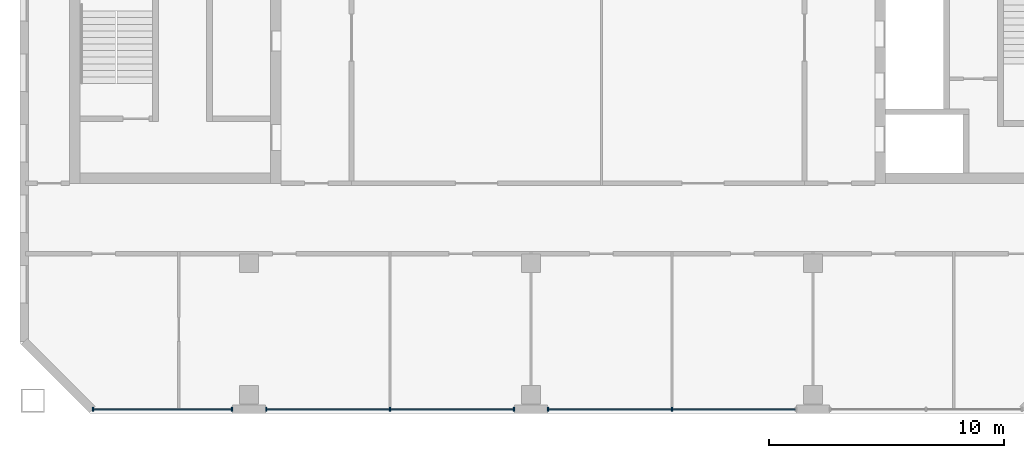
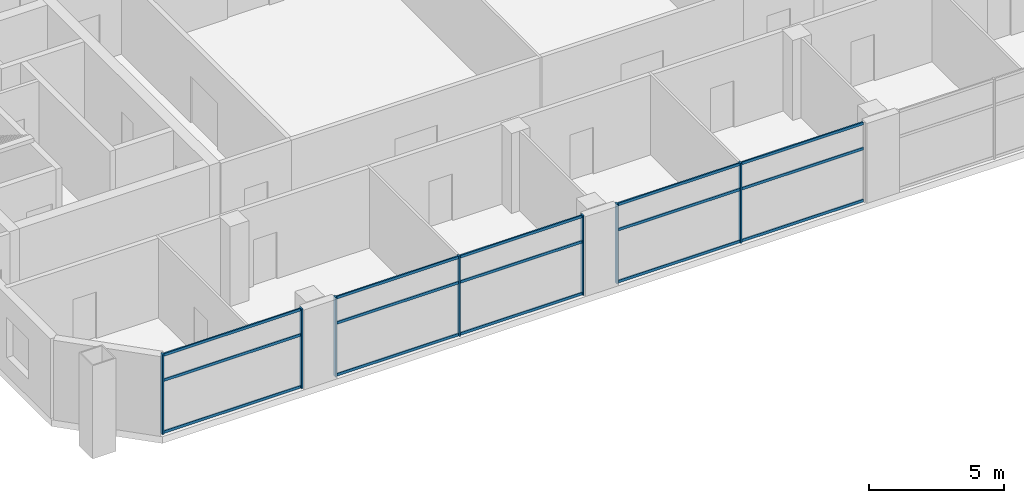
# One storey, part 2 of 19: 22 members, 3 elements without a shape of their own.
"""IFC4 building model written with IfcOpenShell, lengths in metres."""

from ifc_helpers import new_model, si_unit, direction, frame, origin, origin_2d, place, context, subcontext, project, spatial, rectangle, extrude, material, material_profile, profile_set, type_object, element, aggregate, save


model = new_model("IFC4")

# Units and contexts
model_context = context("Model", 3, precision=1e-05, world=origin(), true_north=direction((0.0, 1.0)))
body_context = subcontext(model_context, "Body", "Model", "MODEL_VIEW")
ifc_project = project(units=[si_unit("LENGTHUNIT", "METRE"), si_unit("AREAUNIT", "SQUARE_METRE"), si_unit("VOLUMEUNIT", "CUBIC_METRE"), si_unit("PLANEANGLEUNIT", "RADIAN"), si_unit("MASSUNIT", "GRAM", prefix="KILO")], contexts=[model_context])

# Site, building, storey
site_placement = place(None, origin())
site = spatial("IfcSite", under=ifc_project, at=site_placement, CompositionType="ELEMENT")
building_placement = place(site_placement, origin())
building = spatial("IfcBuilding", under=site, at=building_placement, Name="Tuart Gate Housing", CompositionType="ELEMENT")
storey_placement = place(building_placement, frame((0.0, 0.0, 171.60009765625)))
storey = spatial("IfcBuildingStorey", under=building, at=storey_placement, Name="L48", CompositionType="ELEMENT", Elevation=171.60009765625)

# Curtain wall, members
ifc_material_1 = material(Name="Aluminium and clear glass", Category="aluminium")
curtain_wall_type = type_object("IfcCurtainWallType", Name="Community floor glazing", PredefinedType="USERDEFINED", material=ifc_material_1)
curtain_wall_1_placement = place(storey_placement, origin())
curtain_wall_1 = element("IfcCurtainWall", 1, at=curtain_wall_1_placement, inside=storey, type_object=curtain_wall_type, Name="Community floor glazing A-S L48", ObjectType="COMMUNITY FLOOR GLAZING", PredefinedType="USERDEFINED")
ifc_material_2 = material(Name="Anodised aluminium", Category="aluminium")
ifc_material_profile_1 = material_profile(ifc_material_2, rectangle(XDim=0.06005859375, YDim=0.159912109375, at=origin_2d()), Name="60x160")
ifc_profile_set_1 = profile_set([ifc_material_profile_1], Name="Anodised aluminium")
member_type_1 = type_object("IfcMemberType", Name="Mullion 60 x 160", PredefinedType="MULLION", material=ifc_profile_set_1)
member_1_placement = place(storey_placement, frame((33.3544921875, 54.179931640625, 0.0), z_axis=(0.0, 0.0, 1.0), x_axis=(1.0, 0.0, 0.0)))
member_1 = element("IfcMember", 2, at=member_1_placement, type_object=member_type_1, Name="CW3 mullion 1", PredefinedType="MULLION", context=body_context, shape_type="SweptSolid", body=[
    extrude(rectangle(XDim=0.06005859375, YDim=0.159912109375, at=origin_2d()), origin(), (0.0, 0.0, 1.0), 3.599853515625),
])
member_2_placement = place(storey_placement, frame((39.27001953125, 54.179931640625, 0.0), z_axis=(0.0, 0.0, 1.0), x_axis=(1.0, 0.0, 0.0)))
member_2 = element("IfcMember", 3, at=member_2_placement, type_object=member_type_1, Name="CW3 mullion 2", PredefinedType="MULLION", context=body_context, shape_type="SweptSolid", body=[
    extrude(rectangle(XDim=0.06005859375, YDim=0.159912109375, at=origin_2d()), origin(), (0.0, 0.0, 1.0), 3.599853515625),
])

curtain_wall_2_placement = place(storey_placement, origin())
curtain_wall_2 = element("IfcCurtainWall", 4, at=curtain_wall_2_placement, inside=storey, type_object=curtain_wall_type, Name="Community floor glazing A-S L48", ObjectType="COMMUNITY FLOOR GLAZING", PredefinedType="USERDEFINED")
member_3_placement = place(storey_placement, frame((40.72998046875, 54.179931640625, 0.0), z_axis=(0.0, 0.0, 1.0), x_axis=(1.0, 0.0, 0.0)))
member_3 = element("IfcMember", 5, at=member_3_placement, type_object=member_type_1, Name="CW3 mullion 1", PredefinedType="MULLION", context=body_context, shape_type="SweptSolid", body=[
    extrude(rectangle(XDim=0.06005859375, YDim=0.159912109375, at=origin_2d()), origin(), (0.0, 0.0, 1.0), 3.599853515625),
])
member_4_placement = place(storey_placement, frame((46.0, 54.179931640625, 0.0), z_axis=(0.0, 0.0, 1.0), x_axis=(1.0, 0.0, 0.0)))
member_4 = element("IfcMember", 6, at=member_4_placement, type_object=member_type_1, Name="CW3 mullion 2", PredefinedType="MULLION", context=body_context, shape_type="SweptSolid", body=[
    extrude(rectangle(XDim=0.06005859375, YDim=0.159912109375, at=origin_2d()), origin(), (0.0, 0.0, 1.0), 3.599853515625),
])
member_5_placement = place(storey_placement, frame((51.27001953125, 54.179931640625, 0.0), z_axis=(0.0, 0.0, 1.0), x_axis=(1.0, 0.0, 0.0)))
member_5 = element("IfcMember", 7, at=member_5_placement, type_object=member_type_1, Name="CW3 mullion 3", PredefinedType="MULLION", context=body_context, shape_type="SweptSolid", body=[
    extrude(rectangle(XDim=0.06005859375, YDim=0.159912109375, at=origin_2d()), origin(), (0.0, 0.0, 1.0), 3.599853515625),
])

curtain_wall_3_placement = place(storey_placement, origin())
curtain_wall_3 = element("IfcCurtainWall", 8, at=curtain_wall_3_placement, inside=storey, type_object=curtain_wall_type, Name="Community floor glazing A-S L48", ObjectType="COMMUNITY FLOOR GLAZING", PredefinedType="USERDEFINED")
member_6_placement = place(storey_placement, frame((52.72998046875, 54.179931640625, 0.0), z_axis=(0.0, 0.0, 1.0), x_axis=(1.0, 0.0, 0.0)))
member_6 = element("IfcMember", 9, at=member_6_placement, type_object=member_type_1, Name="CW3 mullion 1", PredefinedType="MULLION", context=body_context, shape_type="SweptSolid", body=[
    extrude(rectangle(XDim=0.06005859375, YDim=0.159912109375, at=origin_2d()), origin(), (0.0, 0.0, 1.0), 3.599853515625),
])
member_7_placement = place(storey_placement, frame((58.0, 54.179931640625, 0.0), z_axis=(0.0, 0.0, 1.0), x_axis=(1.0, 0.0, 0.0)))
member_7 = element("IfcMember", 10, at=member_7_placement, type_object=member_type_1, Name="CW3 mullion 2", PredefinedType="MULLION", context=body_context, shape_type="SweptSolid", body=[
    extrude(rectangle(XDim=0.06005859375, YDim=0.159912109375, at=origin_2d()), origin(), (0.0, 0.0, 1.0), 3.599853515625),
])

# Member
ifc_material_3 = material(Name="Anodised aluminium", Category="aluminium")
ifc_material_profile_2 = material_profile(ifc_material_3, rectangle(XDim=0.06005859375, YDim=0.1201171875, at=origin_2d()), Name="60x120")
ifc_profile_set_2 = profile_set([ifc_material_profile_2], Name="Anodised aluminium")
member_type_2 = type_object("IfcMemberType", Name="Transom 60 x 120", PredefinedType="USERDEFINED", material=ifc_profile_set_2)
member_8_placement = place(storey_placement, frame((33.384521484375, 54.179931640625, 0.059814453125), z_axis=(1.0, 0.0, 0.0), x_axis=(0.0, 1.0, 0.0)))
member_8 = element("IfcMember", 11, at=member_8_placement, type_object=member_type_2, Name="CW3 transom 1.1", ObjectType="TRANSOM", PredefinedType="USERDEFINED", context=body_context, shape_type="SweptSolid", body=[
    extrude(rectangle(XDim=0.06005859375, YDim=0.1201171875, at=origin_2d()), origin(), (0.0, 0.0, 1.0), 5.85546875),
])

member_9_placement = place(storey_placement, frame((33.384521484375, 54.179931640625, 2.39990234375), z_axis=(1.0, 0.0, 0.0), x_axis=(0.0, 1.0, 0.0)))
member_9 = element("IfcMember", 12, at=member_9_placement, type_object=member_type_2, Name="CW3 transom 1.2", ObjectType="TRANSOM", PredefinedType="USERDEFINED", context=body_context, shape_type="SweptSolid", body=[
    extrude(rectangle(XDim=0.06005859375, YDim=0.1201171875, at=origin_2d()), origin(), (0.0, 0.0, 1.0), 5.85546875),
])

member_10_placement = place(storey_placement, frame((33.384521484375, 54.179931640625, 3.539794921875), z_axis=(1.0, 0.0, 0.0), x_axis=(0.0, 1.0, 0.0)))
member_10 = element("IfcMember", 13, at=member_10_placement, type_object=member_type_2, Name="CW3 transom 1.3", ObjectType="TRANSOM", PredefinedType="USERDEFINED", context=body_context, shape_type="SweptSolid", body=[
    extrude(rectangle(XDim=0.06005859375, YDim=0.1201171875, at=origin_2d()), origin(), (0.0, 0.0, 1.0), 5.85546875),
])

aggregate(curtain_wall_1, [member_1, member_2, member_8, member_9, member_10])

member_11_placement = place(storey_placement, frame((40.760009765625, 54.179931640625, 0.059814453125), z_axis=(1.0, 0.0, 0.0), x_axis=(0.0, 1.0, 0.0)))
member_11 = element("IfcMember", 14, at=member_11_placement, type_object=member_type_2, Name="CW3 transom 1.1", ObjectType="TRANSOM", PredefinedType="USERDEFINED", context=body_context, shape_type="SweptSolid", body=[
    extrude(rectangle(XDim=0.06005859375, YDim=0.1201171875, at=origin_2d()), origin(), (0.0, 0.0, 1.0), 5.2099609375),
])

member_12_placement = place(storey_placement, frame((40.760009765625, 54.179931640625, 2.39990234375), z_axis=(1.0, 0.0, 0.0), x_axis=(0.0, 1.0, 0.0)))
member_12 = element("IfcMember", 15, at=member_12_placement, type_object=member_type_2, Name="CW3 transom 1.2", ObjectType="TRANSOM", PredefinedType="USERDEFINED", context=body_context, shape_type="SweptSolid", body=[
    extrude(rectangle(XDim=0.06005859375, YDim=0.1201171875, at=origin_2d()), origin(), (0.0, 0.0, 1.0), 5.2099609375),
])

member_13_placement = place(storey_placement, frame((40.760009765625, 54.179931640625, 3.539794921875), z_axis=(1.0, 0.0, 0.0), x_axis=(0.0, 1.0, 0.0)))
member_13 = element("IfcMember", 16, at=member_13_placement, type_object=member_type_2, Name="CW3 transom 1.3", ObjectType="TRANSOM", PredefinedType="USERDEFINED", context=body_context, shape_type="SweptSolid", body=[
    extrude(rectangle(XDim=0.06005859375, YDim=0.1201171875, at=origin_2d()), origin(), (0.0, 0.0, 1.0), 5.2099609375),
])

member_14_placement = place(storey_placement, frame((46.030029296875, 54.179931640625, 0.059814453125), z_axis=(1.0, 0.0, 0.0), x_axis=(0.0, 1.0, 0.0)))
member_14 = element("IfcMember", 17, at=member_14_placement, type_object=member_type_2, Name="CW3 transom 2.1", ObjectType="TRANSOM", PredefinedType="USERDEFINED", context=body_context, shape_type="SweptSolid", body=[
    extrude(rectangle(XDim=0.06005859375, YDim=0.1201171875, at=origin_2d()), origin(), (0.0, 0.0, 1.0), 5.2099609375),
])

member_15_placement = place(storey_placement, frame((46.030029296875, 54.179931640625, 2.39990234375), z_axis=(1.0, 0.0, 0.0), x_axis=(0.0, 1.0, 0.0)))
member_15 = element("IfcMember", 18, at=member_15_placement, type_object=member_type_2, Name="CW3 transom 2.2", ObjectType="TRANSOM", PredefinedType="USERDEFINED", context=body_context, shape_type="SweptSolid", body=[
    extrude(rectangle(XDim=0.06005859375, YDim=0.1201171875, at=origin_2d()), origin(), (0.0, 0.0, 1.0), 5.2099609375),
])

member_16_placement = place(storey_placement, frame((46.030029296875, 54.179931640625, 3.539794921875), z_axis=(1.0, 0.0, 0.0), x_axis=(0.0, 1.0, 0.0)))
member_16 = element("IfcMember", 19, at=member_16_placement, type_object=member_type_2, Name="CW3 transom 2.3", ObjectType="TRANSOM", PredefinedType="USERDEFINED", context=body_context, shape_type="SweptSolid", body=[
    extrude(rectangle(XDim=0.06005859375, YDim=0.1201171875, at=origin_2d()), origin(), (0.0, 0.0, 1.0), 5.2099609375),
])

aggregate(curtain_wall_2, [member_3, member_4, member_5, member_11, member_12, member_13, member_14, member_15, member_16])

member_17_placement = place(storey_placement, frame((52.760009765625, 54.179931640625, 0.059814453125), z_axis=(1.0, 0.0, 0.0), x_axis=(0.0, 1.0, 0.0)))
member_17 = element("IfcMember", 20, at=member_17_placement, type_object=member_type_2, Name="CW3 transom 1.1", ObjectType="TRANSOM", PredefinedType="USERDEFINED", context=body_context, shape_type="SweptSolid", body=[
    extrude(rectangle(XDim=0.06005859375, YDim=0.1201171875, at=origin_2d()), origin(), (0.0, 0.0, 1.0), 5.2099609375),
])

member_18_placement = place(storey_placement, frame((52.760009765625, 54.179931640625, 2.39990234375), z_axis=(1.0, 0.0, 0.0), x_axis=(0.0, 1.0, 0.0)))
member_18 = element("IfcMember", 21, at=member_18_placement, type_object=member_type_2, Name="CW3 transom 1.2", ObjectType="TRANSOM", PredefinedType="USERDEFINED", context=body_context, shape_type="SweptSolid", body=[
    extrude(rectangle(XDim=0.06005859375, YDim=0.1201171875, at=origin_2d()), origin(), (0.0, 0.0, 1.0), 5.2099609375),
])

member_19_placement = place(storey_placement, frame((52.760009765625, 54.179931640625, 3.539794921875), z_axis=(1.0, 0.0, 0.0), x_axis=(0.0, 1.0, 0.0)))
member_19 = element("IfcMember", 22, at=member_19_placement, type_object=member_type_2, Name="CW3 transom 1.3", ObjectType="TRANSOM", PredefinedType="USERDEFINED", context=body_context, shape_type="SweptSolid", body=[
    extrude(rectangle(XDim=0.06005859375, YDim=0.1201171875, at=origin_2d()), origin(), (0.0, 0.0, 1.0), 5.2099609375),
])

member_20_placement = place(storey_placement, frame((58.030029296875, 54.179931640625, 0.059814453125), z_axis=(1.0, 0.0, 0.0), x_axis=(0.0, 1.0, 0.0)))
member_20 = element("IfcMember", 23, at=member_20_placement, type_object=member_type_2, Name="CW3 transom 2.1", ObjectType="TRANSOM", PredefinedType="USERDEFINED", context=body_context, shape_type="SweptSolid", body=[
    extrude(rectangle(XDim=0.06005859375, YDim=0.1201171875, at=origin_2d()), origin(), (0.0, 0.0, 1.0), 5.2099609375),
])

member_21_placement = place(storey_placement, frame((58.030029296875, 54.179931640625, 2.39990234375), z_axis=(1.0, 0.0, 0.0), x_axis=(0.0, 1.0, 0.0)))
member_21 = element("IfcMember", 24, at=member_21_placement, type_object=member_type_2, Name="CW3 transom 2.2", ObjectType="TRANSOM", PredefinedType="USERDEFINED", context=body_context, shape_type="SweptSolid", body=[
    extrude(rectangle(XDim=0.06005859375, YDim=0.1201171875, at=origin_2d()), origin(), (0.0, 0.0, 1.0), 5.2099609375),
])

member_22_placement = place(storey_placement, frame((58.030029296875, 54.179931640625, 3.539794921875), z_axis=(1.0, 0.0, 0.0), x_axis=(0.0, 1.0, 0.0)))
member_22 = element("IfcMember", 25, at=member_22_placement, type_object=member_type_2, Name="CW3 transom 2.3", ObjectType="TRANSOM", PredefinedType="USERDEFINED", context=body_context, shape_type="SweptSolid", body=[
    extrude(rectangle(XDim=0.06005859375, YDim=0.1201171875, at=origin_2d()), origin(), (0.0, 0.0, 1.0), 5.2099609375),
])

aggregate(curtain_wall_3, [member_6, member_7, member_17, member_18, member_19, member_20, member_21, member_22])

save(model, "model.ifc")
